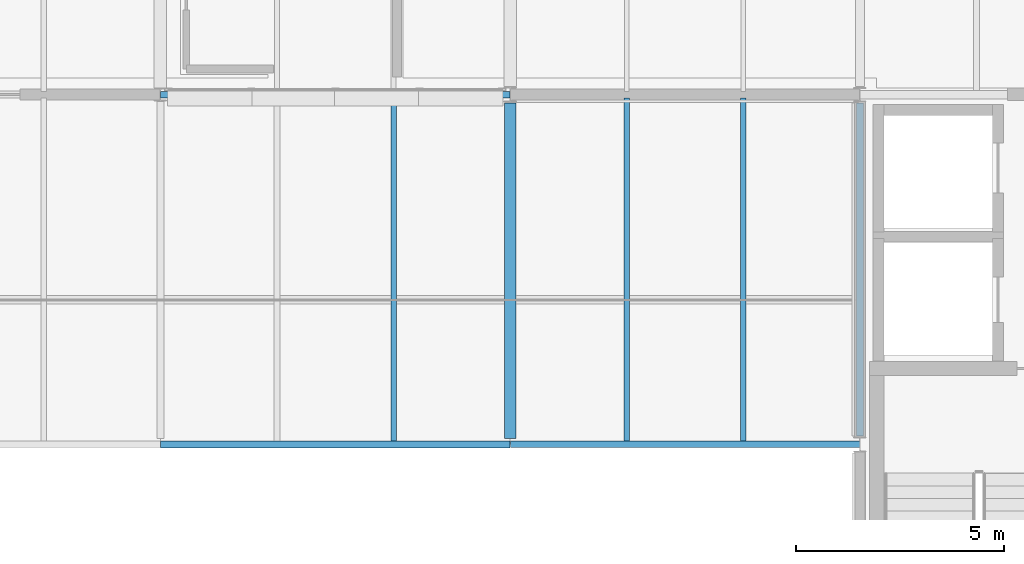
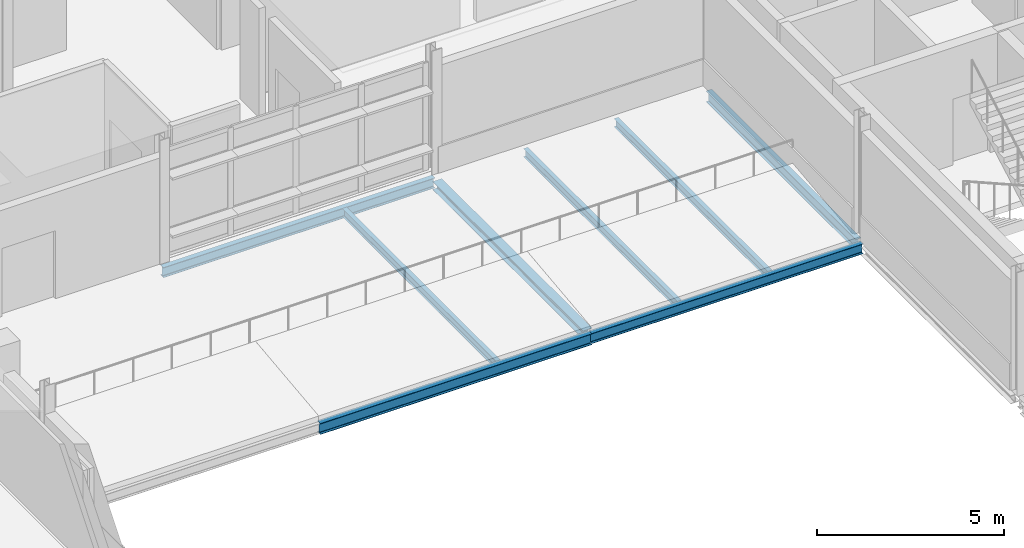
# One storey, part 22 of 151: 8 beams.
"""IFC4 building model written with IfcOpenShell, lengths in metres."""

from ifc_helpers import new_model, si_unit, direction, frame, origin, origin_2d, place, context, subcontext, project, spatial, i_section, extrude, material, material_profile, profile_set, type_object, element, save


model = new_model("IFC4")

# Units and contexts
model_context = context("Model", 3, precision=1e-05, world=origin(), true_north=direction((0.0, 1.0)))
body_context = subcontext(model_context, "Body", "Model", "MODEL_VIEW")
ifc_project = project(units=[si_unit("LENGTHUNIT", "METRE"), si_unit("AREAUNIT", "SQUARE_METRE"), si_unit("VOLUMEUNIT", "CUBIC_METRE"), si_unit("PLANEANGLEUNIT", "RADIAN"), si_unit("MASSUNIT", "GRAM", prefix="KILO")], contexts=[model_context])

# Site, building, storey
site_placement = place(None, origin())
site = spatial("IfcSite", under=ifc_project, at=site_placement, CompositionType="ELEMENT")
building_placement = place(site_placement, origin())
building = spatial("IfcBuilding", under=site, at=building_placement, Name="Mersafa Astral City Hall", CompositionType="ELEMENT")
storey_placement = place(building_placement, frame((0.0, 0.0, 9.89990234375)))
storey = spatial("IfcBuildingStorey", under=building, at=storey_placement, Name="L02", CompositionType="ELEMENT", Elevation=9.89990234375)

# Beams
ifc_material = material(Name="Steel S355", Category="steel")
ifc_material_profile_1 = material_profile(ifc_material, i_section(OverallWidth=0.135009765625, OverallDepth=0.27001953125, WebThickness=0.006591796875, FlangeThickness=0.01025390625, FilletRadius=0.014892578125, at=origin_2d()), Name="IPE 270")
ifc_profile_set_1 = profile_set([ifc_material_profile_1], Name="Steel S355")
beam_type_1 = type_object("IfcBeamType", Name="STR-BM-JOIST-IPE270", PredefinedType="JOIST", material=ifc_profile_set_1)
for number, where, z_axis, x_axis, name in (
    (1, (106.39990234375, 16.8798828125, -0.3349609375), (0.0, 1.0, 0.0), (-1.0, 0.0, 0.0), "L02 Flat roof secondary joist 10"),
    (2, (112.0, 16.875, -0.3349609375), (0.0, 1.0, 0.0), (-1.0, 0.0, 0.0), "L02 Flat roof secondary joist 11"),
    (3, (114.800048828125, 16.875, -0.3349609375), (0.0, 1.0, 0.0), (-1.0, 0.0, 0.0), "L02 Flat roof secondary joist 12"),
):
    element("IfcBeam", number, at=place(storey_placement, frame(where, z_axis=z_axis, x_axis=x_axis)), inside=storey, type_object=beam_type_1, Name=name, PredefinedType="JOIST", context=body_context, shape_type="SweptSolid", body=[
        extrude(i_section(OverallWidth=0.135009765625, OverallDepth=0.27001953125, WebThickness=0.006591796875, FlangeThickness=0.01025390625, FilletRadius=0.014892578125, at=origin_2d()), origin(), (0.0, 0.0, 1.0), 8.2451171875),
    ])
ifc_material_profile_2 = material_profile(ifc_material, i_section(OverallWidth=0.280029296875, OverallDepth=0.27001953125, WebThickness=0.008056640625, FlangeThickness=0.012939453125, FilletRadius=0.02392578125, at=origin_2d()), Name="HEA 280")
ifc_profile_set_2 = profile_set([ifc_material_profile_2], Name="Steel S355")
beam_type_2 = type_object("IfcBeamType", Name="STR-BM-SPANDREL-HEA280", PredefinedType="SPANDREL", material=ifc_profile_set_2)
beam_1_placement = place(storey_placement, frame((109.199951171875, 16.945068359375, -0.3349609375), z_axis=(0.0, 1.0, 0.0), x_axis=(-1.0, 0.0, 0.0)))
element("IfcBeam", 4, at=beam_1_placement, inside=storey, type_object=beam_type_2, Name="L02 Primary girder Y 13-2", PredefinedType="SPANDREL", context=body_context, shape_type="SweptSolid", body=[
    extrude(i_section(OverallWidth=0.280029296875, OverallDepth=0.27001953125, WebThickness=0.008056640625, FlangeThickness=0.012939453125, FilletRadius=0.02392578125, at=origin_2d()), origin(), (0.0, 0.0, 1.0), 8.059814453125),
])
ifc_material_profile_3 = material_profile(ifc_material, i_section(OverallWidth=0.159912109375, OverallDepth=0.330078125, WebThickness=0.007568359375, FlangeThickness=0.011474609375, FilletRadius=0.01806640625, at=origin_2d()), Name="IPE 330")
ifc_profile_set_3 = profile_set([ifc_material_profile_3], Name="Steel S355")
beam_type_3 = type_object("IfcBeamType", Name="STR-BM-SPANDREL-IPE330", PredefinedType="SPANDREL", material=ifc_profile_set_3)
for number, where, z_axis, x_axis, name in (
    (5, (109.202880859375, 16.800048828125, -0.364990234375), (1.0, 0.0, 0.0), (0.0, 1.0, 0.0), "L02 Primary girder X 13-2"),
    (6, (100.802978515625, 25.199951171875, -0.364990234375), (1.0, 0.0, 0.0), (0.0, 1.0, 0.0), "L02 Primary girder X 12-3"),
):
    element("IfcBeam", number, at=place(storey_placement, frame(where, z_axis=z_axis, x_axis=x_axis)), inside=storey, type_object=beam_type_3, Name=name, PredefinedType="SPANDREL", context=body_context, shape_type="SweptSolid", body=[
        extrude(i_section(OverallWidth=0.159912109375, OverallDepth=0.330078125, WebThickness=0.007568359375, FlangeThickness=0.011474609375, FilletRadius=0.01806640625, at=origin_2d()), origin(), (0.0, 0.0, 1.0), 8.39404296875),
    ])
ifc_material_profile_4 = material_profile(ifc_material, i_section(OverallWidth=0.169921875, OverallDepth=0.360107421875, WebThickness=0.008056640625, FlangeThickness=0.0126953125, FilletRadius=0.01806640625, at=origin_2d()), Name="IPE 360")
ifc_profile_set_4 = profile_set([ifc_material_profile_4], Name="Steel S355")
beam_type_4 = type_object("IfcBeamType", Name="STR-BM-SPANDREL-IPE360", PredefinedType="SPANDREL", material=ifc_profile_set_4)
beam_2_placement = place(storey_placement, frame((100.802978515625, 16.800048828125, -0.3798828125), z_axis=(1.0, 0.0, 0.0), x_axis=(0.0, 1.0, 0.0)))
element("IfcBeam", 7, at=beam_2_placement, inside=storey, type_object=beam_type_4, Name="L02 Primary girder X 12-2", PredefinedType="SPANDREL", context=body_context, shape_type="SweptSolid", body=[
    extrude(i_section(OverallWidth=0.169921875, OverallDepth=0.360107421875, WebThickness=0.008056640625, FlangeThickness=0.0126953125, FilletRadius=0.01806640625, at=origin_2d()), origin(), (0.0, 0.0, 1.0), 8.39404296875),
])
beam_3_placement = place(storey_placement, frame((117.60009765625, 16.9951171875, -0.3798828125), z_axis=(0.0, 1.0, 0.0), x_axis=(-1.0, 0.0, 0.0)))
element("IfcBeam", 8, at=beam_3_placement, inside=storey, type_object=beam_type_4, Name="L02 Primary girder Y 14-2", PredefinedType="SPANDREL", context=body_context, shape_type="SweptSolid", body=[
    extrude(i_section(OverallWidth=0.169921875, OverallDepth=0.360107421875, WebThickness=0.008056640625, FlangeThickness=0.0126953125, FilletRadius=0.01806640625, at=origin_2d()), origin(), (0.0, 0.0, 1.0), 8.009765625),
])

save(model, "model.ifc")
